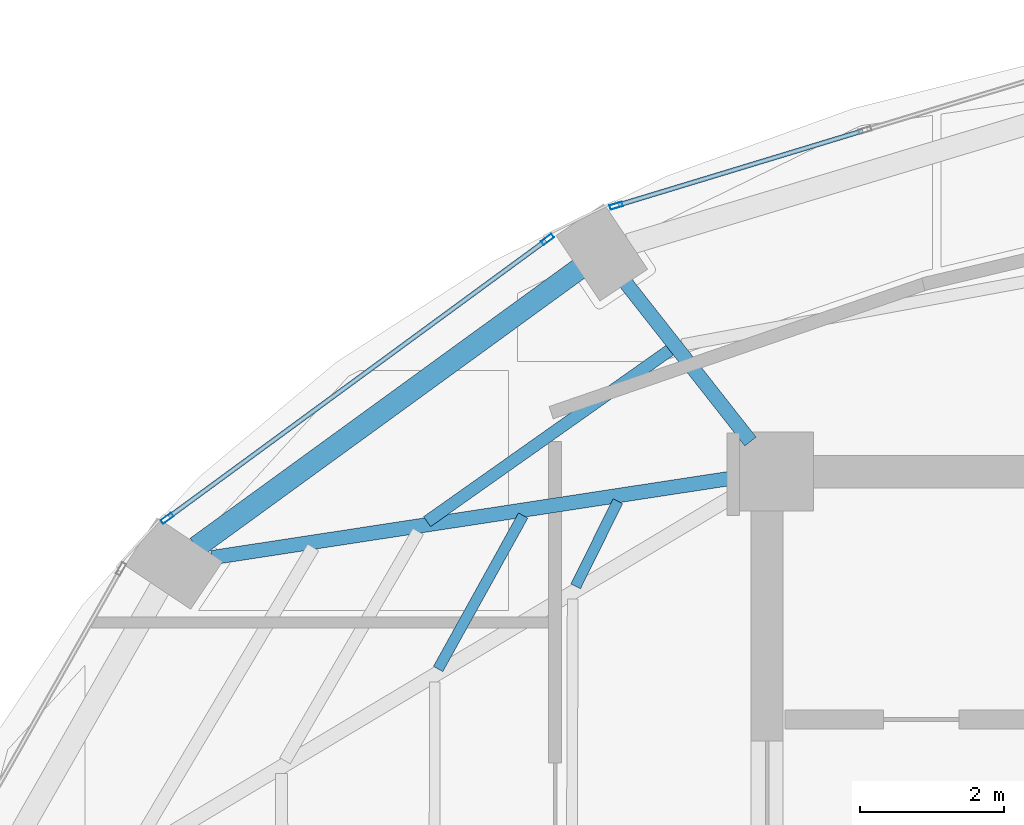
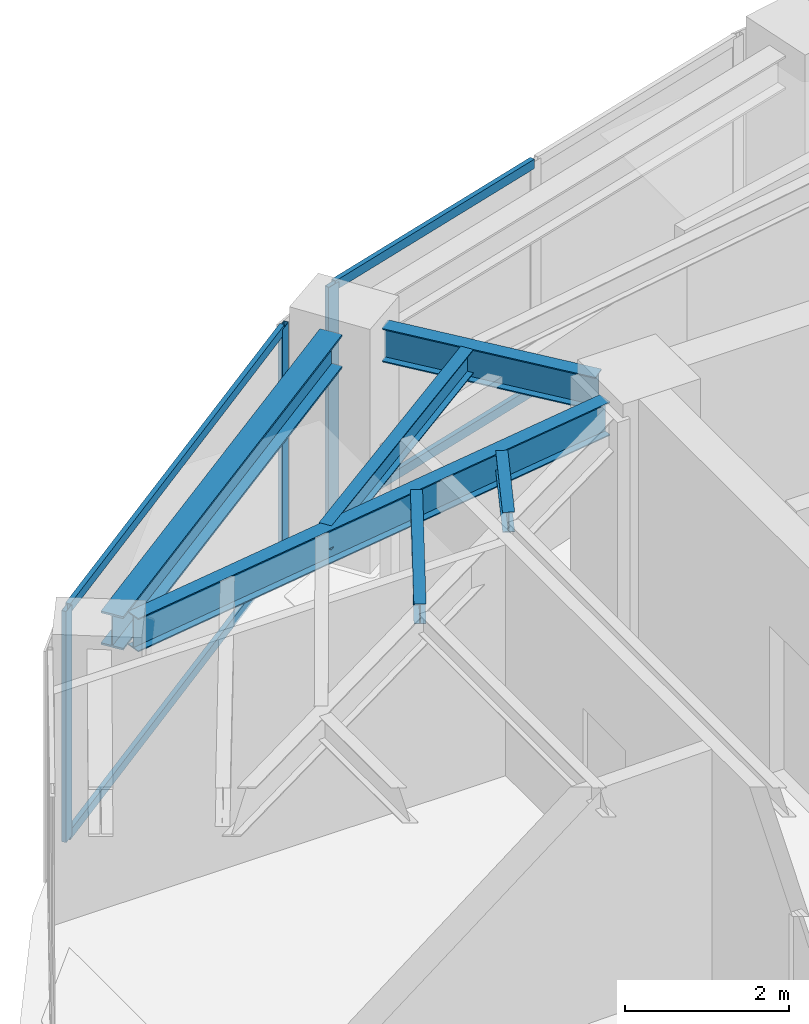
# One storey, part 10 of 23: 7 members, 6 beams, 2 elements without a shape of their own.
"""IFC4 building model written with IfcOpenShell, lengths in metres."""

from ifc_helpers import new_model, si_unit, direction, frame, origin, origin_2d, place, context, subcontext, project, spatial, hollow_rectangle, i_section, extrude, material, layer, layer_set, material_profile, profile_set, type_object, element, aggregate, save


model = new_model("IFC4")

# Units and contexts
model_context = context("Model", 3, precision=1e-05, world=origin(), true_north=direction((0.0, 1.0)))
body_context = subcontext(model_context, "Body", "Model", "MODEL_VIEW")
ifc_project = project(units=[si_unit("LENGTHUNIT", "METRE"), si_unit("AREAUNIT", "SQUARE_METRE"), si_unit("VOLUMEUNIT", "CUBIC_METRE"), si_unit("PLANEANGLEUNIT", "RADIAN"), si_unit("MASSUNIT", "GRAM", prefix="KILO")], contexts=[model_context])

# Site, building, storey
site_placement = place(None, origin())
site = spatial("IfcSite", under=ifc_project, at=site_placement, CompositionType="ELEMENT")
building_placement = place(site_placement, origin())
building = spatial("IfcBuilding", under=site, at=building_placement, Name="Lazwardi Medical Tower", CompositionType="ELEMENT")
storey_placement = place(building_placement, frame((0.0, 0.0, 234.9599609375)))
storey = spatial("IfcBuildingStorey", under=building, at=storey_placement, Name="L61", CompositionType="ELEMENT", Elevation=234.9599609375)

# Beams
ifc_material_1 = material(Name="Steel S355", Category="steel")
ifc_material_profile_1 = material_profile(ifc_material_1, i_section(OverallWidth=0.300048828125, OverallDepth=0.5, WebThickness=0.014404296875, FlangeThickness=0.028076171875, at=origin_2d()), Name="HEB 500")
ifc_profile_set_1 = profile_set([ifc_material_profile_1], Name="Steel S355")
beam_type_1 = type_object("IfcBeamType", Name="BM-RB-Z4", PredefinedType="BEAM", material=ifc_profile_set_1)
beam_1_placement = place(storey_placement, frame((23.68408203125, 38.4248046875, 3.197998046875), z_axis=(-0.808889916254, -0.587960120571, 0.0), x_axis=(0.587960120571, -0.808889916254, 0.0)))
element("IfcBeam", 1, at=beam_1_placement, inside=storey, type_object=beam_type_1, Name="Ring beam RB-05 B10 L61", PredefinedType="BEAM", context=body_context, shape_type="SweptSolid", body=[
    extrude(i_section(OverallWidth=0.300048828125, OverallDepth=0.5, WebThickness=0.014404296875, FlangeThickness=0.028076171875, at=origin_2d()), origin(), (0.0, 0.0, 1.0), 6.587158203125),
])
ifc_material_profile_2 = material_profile(ifc_material_1, i_section(OverallWidth=0.199951171875, OverallDepth=0.5, WebThickness=0.01025390625, FlangeThickness=0.01611328125, at=origin_2d()), Name="IPE 500")
ifc_profile_set_2 = profile_set([ifc_material_profile_2], Name="Steel S355")
beam_type_2 = type_object("IfcBeamType", Name="BM-RG-W3", PredefinedType="BEAM", material=ifc_profile_set_2)
beam_2_placement = place(storey_placement, frame((24.330322265625, 38.2333984375, 3.197998046875), z_axis=(0.617890508382, -0.786264153864, 0.0), x_axis=(0.786264153864, 0.617890508382, 0.0)))
element("IfcBeam", 2, at=beam_2_placement, inside=storey, type_object=beam_type_2, Name="Radial girder RG-04 R10 L61", PredefinedType="BEAM", context=body_context, shape_type="SweptSolid", body=[
    extrude(i_section(OverallWidth=0.199951171875, OverallDepth=0.5, WebThickness=0.01025390625, FlangeThickness=0.01611328125, at=origin_2d()), origin(), (0.0, 0.0, 1.0), 2.814453125),
])
beam_3_placement = place(storey_placement, frame((18.569091796875, 34.4033203125, 3.197998046875), z_axis=(0.988522137285, 0.151076087115, 0.0), x_axis=(-0.151076087115, 0.988522137285, 0.0)))
element("IfcBeam", 3, at=beam_3_placement, inside=storey, type_object=beam_type_2, Name="Radial girder RG-04 R11 L61", PredefinedType="BEAM", context=body_context, shape_type="SweptSolid", body=[
    extrude(i_section(OverallWidth=0.199951171875, OverallDepth=0.5, WebThickness=0.01025390625, FlangeThickness=0.01611328125, at=origin_2d()), origin(), (0.0, 0.0, 1.0), 7.38671875),
])
ifc_material_profile_3 = material_profile(ifc_material_1, i_section(OverallWidth=0.169921875, OverallDepth=0.360107421875, WebThickness=0.008056640625, FlangeThickness=0.0126953125, at=origin_2d()), Name="IPE 360")
ifc_profile_set_3 = profile_set([ifc_material_profile_3], Name="Steel S355")
beam_type_3 = type_object("IfcBeamType", Name="BM-SJ-02", PredefinedType="JOIST", material=ifc_profile_set_3)
beam_4_placement = place(storey_placement, frame((24.948486328125, 37.29345703125, 3.26806640625), z_axis=(-0.816711190406, -0.577046645832, 0.0), x_axis=(0.577046645832, -0.816711190406, 0.0)))
element("IfcBeam", 4, at=beam_4_placement, inside=storey, type_object=beam_type_3, Name="Secondary joist SJ-02 R2 B10 L61", PredefinedType="JOIST", context=body_context, shape_type="SweptSolid", body=[
    extrude(i_section(OverallWidth=0.169921875, OverallDepth=0.360107421875, WebThickness=0.008056640625, FlangeThickness=0.0126953125, at=origin_2d()), origin(), (0.0, 0.0, 1.0), 4.139892578125),
])
ifc_material_profile_4 = material_profile(ifc_material_1, i_section(OverallWidth=0.14990234375, OverallDepth=0.300048828125, WebThickness=0.007080078125, FlangeThickness=0.0107421875, at=origin_2d()), Name="IPE 300")
ifc_profile_set_4 = profile_set([ifc_material_profile_4], Name="Steel S355")
beam_type_4 = type_object("IfcBeamType", Name="BM-SJ-03", PredefinedType="JOIST", material=ifc_profile_set_4)
beam_5_placement = place(storey_placement, frame((22.904296875, 34.98974609375, 3.298095703125), z_axis=(-0.484751625998, -0.874651851363, 0.0), x_axis=(0.874651851363, -0.484751625998, 0.0)))
element("IfcBeam", 5, at=beam_5_placement, inside=storey, type_object=beam_type_4, Name="Secondary joist SJ-03 R3 B11 L61", PredefinedType="JOIST", context=body_context, shape_type="SweptSolid", body=[
    extrude(i_section(OverallWidth=0.14990234375, OverallDepth=0.300048828125, WebThickness=0.007080078125, FlangeThickness=0.0107421875, at=origin_2d()), origin(), (0.0, 0.0, 1.0), 2.442626953125),
])
beam_6_placement = place(storey_placement, frame((24.222412109375, 35.188720703125, 3.298095703125), z_axis=(-0.443587297772, -0.89623116954, 0.0), x_axis=(0.89623116954, -0.443587297772, 0.0)))
element("IfcBeam", 6, at=beam_6_placement, inside=storey, type_object=beam_type_4, Name="Secondary joist SJ-03 R4 B11 L61", PredefinedType="JOIST", context=body_context, shape_type="SweptSolid", body=[
    extrude(i_section(OverallWidth=0.14990234375, OverallDepth=0.300048828125, WebThickness=0.007080078125, FlangeThickness=0.0107421875, at=origin_2d()), origin(), (0.0, 0.0, 1.0), 1.32080078125),
])

# Curtain wall, member
ifc_material_2 = material(Name="Anodised bronze aluminium and solar control glazing", Category="aluminium")
ifc_layer = layer(ifc_material_2, 0.18994140625)
ifc_layer_set = layer_set([ifc_layer], Name="Anodised bronze aluminium and solar control glazing")
curtain_wall_type = type_object("IfcCurtainWallType", Name="CW-SYS-04", PredefinedType="NOTDEFINED", material=ifc_layer_set)
curtain_wall_1_placement = place(storey_placement, origin())
curtain_wall_1 = element("IfcCurtainWall", 7, at=curtain_wall_1_placement, inside=storey, type_object=curtain_wall_type, Name="L61 Unitised bronze curtain wall CW-04", PredefinedType="NOTDEFINED")
ifc_material_3 = material(Name="Anodised bronze aluminium", Category="aluminium")
ifc_material_profile_5 = material_profile(ifc_material_3, hollow_rectangle(XDim=0.06494140625, YDim=0.179931640625, WallThickness=0.00390625, at=origin_2d()), Name="ALU-MULLION 180x65x4")
ifc_profile_set_5 = profile_set([ifc_material_profile_5], Name="Anodised bronze aluminium")
member_type_1 = type_object("IfcMemberType", Name="CW-MUL-03", PredefinedType="MULLION", material=ifc_profile_set_5)
member_1_placement = place(storey_placement, frame((24.2001953125, 39.303466796875, 0.0), z_axis=(0.0, 0.0, 1.0), x_axis=(0.290581889515, -0.956850126972, 0.0)))
member_1 = element("IfcMember", 8, at=member_1_placement, type_object=member_type_1, Name="CW-04 mullion 3", PredefinedType="MULLION", context=body_context, shape_type="SweptSolid", body=[
    extrude(hollow_rectangle(XDim=0.06494140625, YDim=0.179931640625, WallThickness=0.00390625, at=origin_2d()), origin(), (0.0, 0.0, 1.0), 3.447998046875),
])

# Curtain wall, members
curtain_wall_2_placement = place(storey_placement, origin())
curtain_wall_2 = element("IfcCurtainWall", 9, at=curtain_wall_2_placement, inside=storey, type_object=curtain_wall_type, Name="L61 Unitised bronze curtain wall CW-04", PredefinedType="NOTDEFINED")
member_2_placement = place(storey_placement, frame((23.24462890625, 38.8349609375, 0.0), z_axis=(0.0, 0.0, 1.0), x_axis=(0.591268230971, -0.806474971121, 0.0)))
member_2 = element("IfcMember", 10, at=member_2_placement, type_object=member_type_1, Name="CW-04 mullion 1", PredefinedType="MULLION", context=body_context, shape_type="SweptSolid", body=[
    extrude(hollow_rectangle(XDim=0.06494140625, YDim=0.179931640625, WallThickness=0.00390625, at=origin_2d()), origin(), (0.0, 0.0, 1.0), 3.447998046875),
])
member_3_placement = place(storey_placement, frame((17.947998046875, 34.95166015625, 0.0), z_axis=(0.0, 0.0, 1.0), x_axis=(0.591268230971, -0.806474971121, 0.0)))
member_3 = element("IfcMember", 11, at=member_3_placement, type_object=member_type_1, Name="CW-04 mullion 2", PredefinedType="MULLION", context=body_context, shape_type="SweptSolid", body=[
    extrude(hollow_rectangle(XDim=0.06494140625, YDim=0.179931640625, WallThickness=0.00390625, at=origin_2d()), origin(), (0.0, 0.0, 1.0), 3.447998046875),
])

# Member
ifc_material_profile_6 = material_profile(ifc_material_3, hollow_rectangle(XDim=0.06494140625, YDim=0.139892578125, WallThickness=0.00341796875, at=origin_2d()), Name="ALU-TRANSOM 140x65x3.5")
ifc_profile_set_6 = profile_set([ifc_material_profile_6], Name="Anodised bronze aluminium")
member_type_2 = type_object("IfcMemberType", Name="CW-TRN-03", PredefinedType="USERDEFINED", material=ifc_profile_set_6)
member_4_placement = place(storey_placement, frame((27.632568359375, 40.345947265625, 0.032470703125), z_axis=(-0.956843409009, -0.290604010015, 0.0), x_axis=(0.290604010015, -0.956843409009, 0.0)))
member_4 = element("IfcMember", 12, at=member_4_placement, type_object=member_type_2, Name="CW-04 transom 2.1", ObjectType="TRANSOM", PredefinedType="USERDEFINED", context=body_context, shape_type="SweptSolid", body=[
    extrude(hollow_rectangle(XDim=0.06494140625, YDim=0.139892578125, WallThickness=0.00341796875, at=origin_2d()), origin(), (0.0, 0.0, 1.0), 3.554443359375),
])

member_5_placement = place(storey_placement, frame((27.632568359375, 40.345947265625, 3.41552734375), z_axis=(-0.956843409009, -0.290604010015, 0.0), x_axis=(0.290604010015, -0.956843409009, 0.0)))
member_5 = element("IfcMember", 13, at=member_5_placement, type_object=member_type_2, Name="CW-04 transom 2.2", ObjectType="TRANSOM", PredefinedType="USERDEFINED", context=body_context, shape_type="SweptSolid", body=[
    extrude(hollow_rectangle(XDim=0.06494140625, YDim=0.139892578125, WallThickness=0.00341796875, at=origin_2d()), origin(), (0.0, 0.0, 1.0), 3.554443359375),
])

aggregate(curtain_wall_1, [member_1, member_4, member_5])

member_6_placement = place(storey_placement, frame((23.218505859375, 38.815673828125, 0.032470703125), z_axis=(-0.80648973359, -0.591248094808, 0.0), x_axis=(0.591248094808, -0.80648973359, 0.0)))
member_6 = element("IfcMember", 14, at=member_6_placement, type_object=member_type_2, Name="CW-04 transom 1.1", ObjectType="TRANSOM", PredefinedType="USERDEFINED", context=body_context, shape_type="SweptSolid", body=[
    extrude(hollow_rectangle(XDim=0.06494140625, YDim=0.139892578125, WallThickness=0.00341796875, at=origin_2d()), origin(), (0.0, 0.0, 1.0), 6.502685546875),
])

member_7_placement = place(storey_placement, frame((23.218505859375, 38.815673828125, 3.41552734375), z_axis=(-0.80648973359, -0.591248094808, 0.0), x_axis=(0.591248094808, -0.80648973359, 0.0)))
member_7 = element("IfcMember", 15, at=member_7_placement, type_object=member_type_2, Name="CW-04 transom 1.2", ObjectType="TRANSOM", PredefinedType="USERDEFINED", context=body_context, shape_type="SweptSolid", body=[
    extrude(hollow_rectangle(XDim=0.06494140625, YDim=0.139892578125, WallThickness=0.00341796875, at=origin_2d()), origin(), (0.0, 0.0, 1.0), 6.502685546875),
])

aggregate(curtain_wall_2, [member_2, member_3, member_6, member_7])

save(model, "model.ifc")
